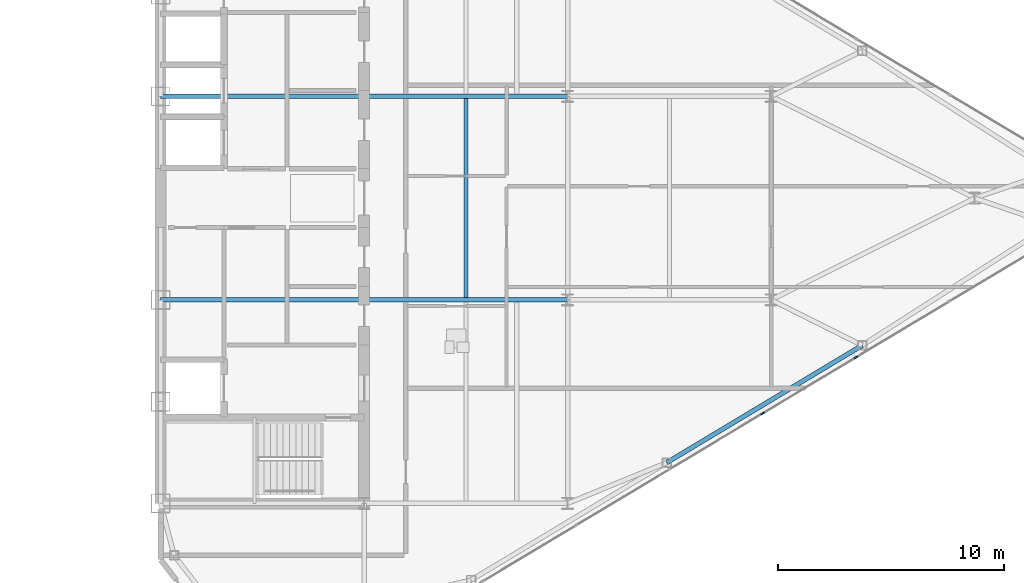
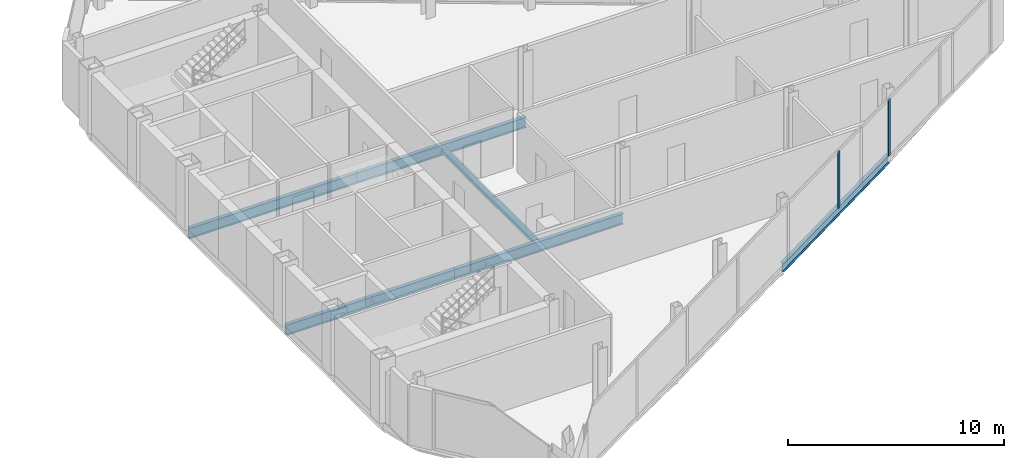
# One storey, part 13 of 26: 6 beams, 2 members, 1 element without a shape of its own.
"""IFC4 building model written with IfcOpenShell, lengths in metres."""

from ifc_helpers import new_model, si_unit, direction, frame, origin, origin_2d, place, context, subcontext, project, spatial, rectangle, i_section, extrude, source, transform, mapped, material, layer, layer_set, material_profile, profile_set, type_object, type_shapes, element, aggregate, save


model = new_model("IFC4")

# Units and contexts
model_context = context("Model", 3, precision=1e-05, world=origin(), true_north=direction((0.0, 1.0)))
body_context = subcontext(model_context, "Body", "Model", "MODEL_VIEW")
ifc_project = project(units=[si_unit("LENGTHUNIT", "METRE"), si_unit("AREAUNIT", "SQUARE_METRE"), si_unit("VOLUMEUNIT", "CUBIC_METRE"), si_unit("PLANEANGLEUNIT", "RADIAN"), si_unit("MASSUNIT", "GRAM", prefix="KILO")], contexts=[model_context])

# Site, building, storey
site_placement = place(None, origin())
site = spatial("IfcSite", under=ifc_project, at=site_placement, CompositionType="ELEMENT")
building_placement = place(site_placement, origin())
building = spatial("IfcBuilding", under=site, at=building_placement, Name="Seokmaru Belvedere", CompositionType="ELEMENT")
storey_placement = place(building_placement, frame((0.0, 0.0, 221.10009765625)))
storey = spatial("IfcBuildingStorey", under=building, at=storey_placement, Name="L59", CompositionType="ELEMENT", Elevation=221.10009765625)

# Beams
ifc_material_1 = material(Name="Steel SM355 (355 MPa)", Category="steel")
ifc_material_profile_1 = material_profile(ifc_material_1, i_section(OverallWidth=0.199951171875, OverallDepth=0.60009765625, WebThickness=0.010986328125, FlangeThickness=0.01708984375, at=origin_2d()), Name="H-600x200x11x17")
ifc_profile_set_1 = profile_set([ifc_material_profile_1], Name="Steel SM355 (355 MPa)")
beam_type_1 = type_object("IfcBeamType", Name="Primary Floor Girder H-600", PredefinedType="BEAM", material=ifc_profile_set_1)
shared_shape_1 = source(origin(), body_context, "Body", "SweptSolid", [
    extrude(i_section(OverallWidth=0.199951171875, OverallDepth=0.60009765625, WebThickness=0.010986328125, FlangeThickness=0.01708984375, at=origin_2d()), origin(), (0.0, 0.0, 1.0), 9.0),
])
type_shapes(beam_type_1, [shared_shape_1])
for number, where, z_axis, x_axis, name in (
    (1, (27.5, -4.5, -0.52001953125), (1.0, 0.0, 0.0), (0.0, 1.0, 0.0), "L59 E Core Tie Girder 2"),
    (2, (36.5, -4.5, -0.52001953125), (1.0, 0.0, 0.0), (0.0, 1.0, 0.0), "L59 E Wing Primary Girder 2"),
    (3, (27.5, 4.5, -0.52001953125), (1.0, 0.0, 0.0), (0.0, 1.0, 0.0), "L59 E Core Tie Girder 3"),
    (4, (36.5, 4.5, -0.52001953125), (1.0, 0.0, 0.0), (0.0, 1.0, 0.0), "L59 E Wing Primary Girder 3"),
):
    element("IfcBeam", number, at=place(storey_placement, frame(where, z_axis=z_axis, x_axis=x_axis)), inside=storey, type_object=beam_type_1, Name=name, PredefinedType="BEAM", context=body_context, shape_type="MappedRepresentation", body=[
        mapped(shared_shape_1, transform((0.0, 0.0, 0.0), scale=1.0)),
    ])
ifc_material_profile_2 = material_profile(ifc_material_1, i_section(OverallWidth=0.18505859375, OverallDepth=0.389892578125, WebThickness=0.008056640625, FlangeThickness=0.011962890625, at=origin_2d()), Name="H-390x185x8x12")
ifc_profile_set_2 = profile_set([ifc_material_profile_2], Name="Steel SM355 (355 MPa)")
beam_type_2 = type_object("IfcBeamType", Name="Secondary Floor Joist H-350", PredefinedType="JOIST", material=ifc_profile_set_2)
shared_shape_2 = source(origin(), body_context, "Body", "SweptSolid", [
    extrude(i_section(OverallWidth=0.18505859375, OverallDepth=0.389892578125, WebThickness=0.008056640625, FlangeThickness=0.011962890625, at=origin_2d()), origin(), (0.0, 0.0, 1.0), 8.7900390625),
])
type_shapes(beam_type_2, [shared_shape_2])
beam_1_placement = place(storey_placement, frame((41.0, -4.39501953125, -0.4150390625), z_axis=(0.0, 1.0, 0.0), x_axis=(-1.0, 0.0, 0.0)))
element("IfcBeam", 5, at=beam_1_placement, inside=storey, type_object=beam_type_2, Name="L59 E Secondary Floor Joist 2", PredefinedType="JOIST", context=body_context, shape_type="MappedRepresentation", body=[
    mapped(shared_shape_2, transform((0.0, 0.0, 0.0), scale=1.0)),
])
ifc_material_profile_3 = material_profile(ifc_material_1, i_section(OverallWidth=0.199951171875, OverallDepth=0.5, WebThickness=0.010009765625, FlangeThickness=0.01611328125, at=origin_2d()), Name="H-500x200x10x16")
ifc_profile_set_3 = profile_set([ifc_material_profile_3], Name="Steel SM355 (355 MPa)")
beam_type_3 = type_object("IfcBeamType", Name="Perimeter Spandrel Beam H-500", PredefinedType="SPANDREL", material=ifc_profile_set_3)
shared_shape_3 = source(origin(), body_context, "Body", "SweptSolid", [
    extrude(i_section(OverallWidth=0.199951171875, OverallDepth=0.5, WebThickness=0.010009765625, FlangeThickness=0.01611328125, at=origin_2d()), origin(), (0.0, 0.0, 1.0), 10.087646484375),
])
type_shapes(beam_type_3, [shared_shape_3])
beam_2_placement = place(storey_placement, frame((49.8798828125, -11.698974609375, -0.47021484375), z_axis=(0.857488654804, 0.514502873542, 0.0), x_axis=(-0.514502873542, 0.857488654804, 0.0)))
element("IfcBeam", 6, at=beam_2_placement, inside=storey, type_object=beam_type_3, Name="L59 E Faceted Flank Spandrel S-3", PredefinedType="SPANDREL", context=body_context, shape_type="MappedRepresentation", body=[
    mapped(shared_shape_3, transform((0.0, 0.0, 0.0), scale=1.0)),
])

# Curtain wall, members
ifc_material_2 = material(Name="Bronze Triple Insulating Glass", Category="glass")
ifc_layer = layer(ifc_material_2, 0.179931640625)
ifc_layer_set = layer_set([ifc_layer], Name="Bronze Triple Insulating Glass")
curtain_wall_type = type_object("IfcCurtainWallType", Name="High-Rise Wind-Corner Curtain Wall System CW-5", PredefinedType="NOTDEFINED", material=ifc_layer_set)
curtain_wall_placement = place(storey_placement, origin())
curtain_wall = element("IfcCurtainWall", 7, at=curtain_wall_placement, inside=storey, type_object=curtain_wall_type, Name="L59 Curtain Wall EF1", PredefinedType="NOTDEFINED")
ifc_material_3 = material(Name="Anodised Bronze Aluminium", Category="aluminium")
ifc_material_profile_4 = material_profile(ifc_material_3, rectangle(XDim=0.06494140625, YDim=0.179931640625, at=origin_2d()), Name="CW-M-65x180")
ifc_profile_set_4 = profile_set([ifc_material_profile_4], Name="Anodised Bronze Aluminium")
member_type = type_object("IfcMemberType", Name="Bronze Unitised Mullion 65x180", PredefinedType="MULLION", material=ifc_profile_set_4)
shared_shape_4 = source(origin(), body_context, "Body", "SweptSolid", [
    extrude(rectangle(XDim=0.06494140625, YDim=0.179931640625, at=origin_2d()), origin(), (0.0, 0.0, 1.0), 3.2099609375),
])
type_shapes(member_type, [shared_shape_4])
member_1_placement = place(storey_placement, frame((54.12841796875, -9.52294921875, 0.06494140625), z_axis=(0.0, 0.0, 1.0), x_axis=(-0.514494909364, 0.85749343335, 0.0)))
member_1 = element("IfcMember", 8, at=member_1_placement, type_object=member_type, Name="CW:L59:EF1 Mullion 6", PredefinedType="MULLION", context=body_context, shape_type="MappedRepresentation", body=[
    mapped(shared_shape_4, transform((0.0, 0.0, 0.0), scale=1.0)),
])
member_2_placement = place(storey_placement, frame((58.257080078125, -7.0458984375, 0.06494140625), z_axis=(0.0, 0.0, 1.0), x_axis=(-0.514494909364, 0.85749343335, 0.0)))
member_2 = element("IfcMember", 9, at=member_2_placement, type_object=member_type, Name="CW:L59:EF1 Mullion 7", PredefinedType="MULLION", context=body_context, shape_type="MappedRepresentation", body=[
    mapped(shared_shape_4, transform((0.0, 0.0, 0.0), scale=1.0)),
])
aggregate(curtain_wall, [member_1, member_2])

save(model, "model.ifc")
